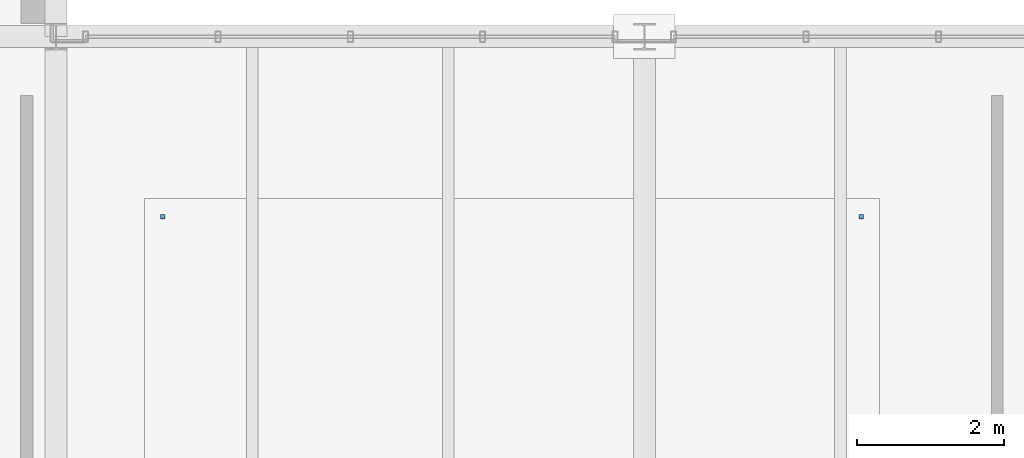
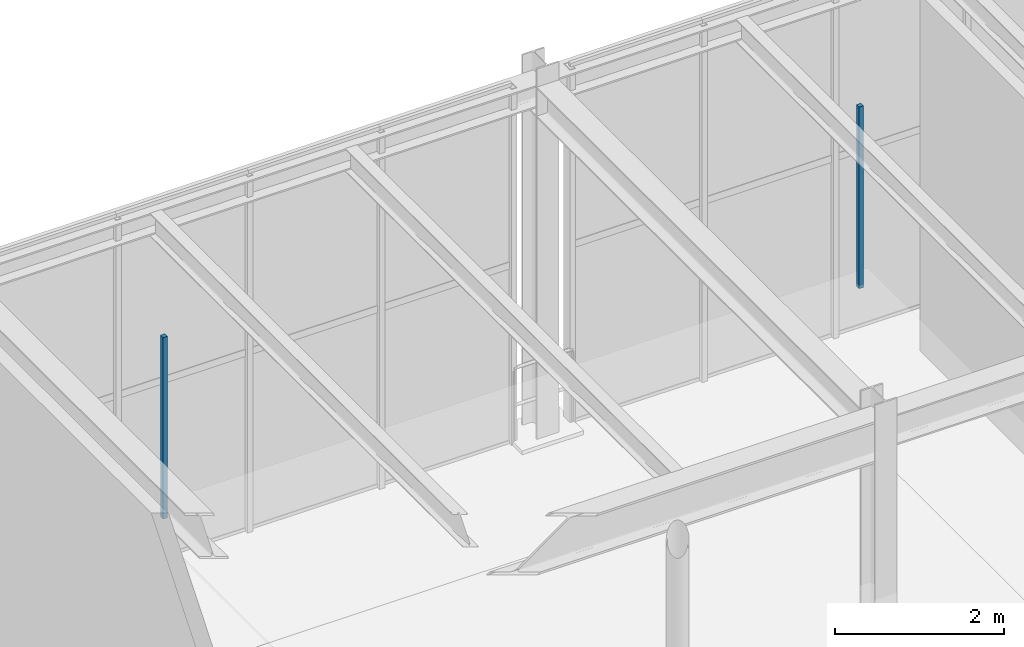
# One storey, part 90 of 129: 2 discrete accessories.
"""IFC4 building model written with IfcOpenShell, lengths in metres."""

from ifc_helpers import new_model, si_unit, direction, frame, origin, origin_2d, place, context, subcontext, project, spatial, rectangle, extrude, material, type_object, element, save


model = new_model("IFC4")

# Units and contexts
model_context = context("Model", 3, precision=1e-05, world=origin(), true_north=direction((0.0, 1.0)))
body_context = subcontext(model_context, "Body", "Model", "MODEL_VIEW")
ifc_project = project(units=[si_unit("LENGTHUNIT", "METRE"), si_unit("AREAUNIT", "SQUARE_METRE"), si_unit("VOLUMEUNIT", "CUBIC_METRE"), si_unit("PLANEANGLEUNIT", "RADIAN"), si_unit("MASSUNIT", "GRAM", prefix="KILO")], contexts=[model_context])

# Site, building, storey
site_placement = place(None, origin())
site = spatial("IfcSite", under=ifc_project, at=site_placement, CompositionType="ELEMENT")
building_placement = place(site_placement, origin())
building = spatial("IfcBuilding", under=site, at=building_placement, Name="Sundkrona Museum", CompositionType="ELEMENT")
storey_placement = place(building_placement, origin())
storey = spatial("IfcBuildingStorey", under=building, at=storey_placement, Name="L00", CompositionType="ELEMENT", Elevation=0.0)

# Discrete accessories
ifc_material = material(Name="Stainless Steel EN 1.4404 Cleat", Category="steel")
discrete_accessory_type = type_object("IfcDiscreteAccessoryType", Name="BRK-FIN-01", PredefinedType="BRACKET", material=ifc_material)
for number, where, z_axis, x_axis, name in (
    (1, (106.949951171875, 37.550048828125, 2.550048828125), (0.0, 0.0, 1.0), (1.0, 0.0, 0.0), "L00 Atrium Public Foyer Ceiling Hanger 3"),
    (2, (97.449951171875, 37.550048828125, 2.550048828125), (0.0, 0.0, 1.0), (1.0, 0.0, 0.0), "L00 Atrium Public Foyer Ceiling Hanger 4"),
):
    element("IfcDiscreteAccessory", number, at=place(storey_placement, frame(where, z_axis=z_axis, x_axis=x_axis)), inside=storey, type_object=discrete_accessory_type, Name=name, PredefinedType="BRACKET", context=body_context, shape_type="SweptSolid", body=[
        extrude(rectangle(XDim=0.06005859375, YDim=0.06005859375, at=origin_2d()), origin(), (0.0, 0.0, 1.0), 2.6201171875),
    ])

save(model, "model.ifc")
